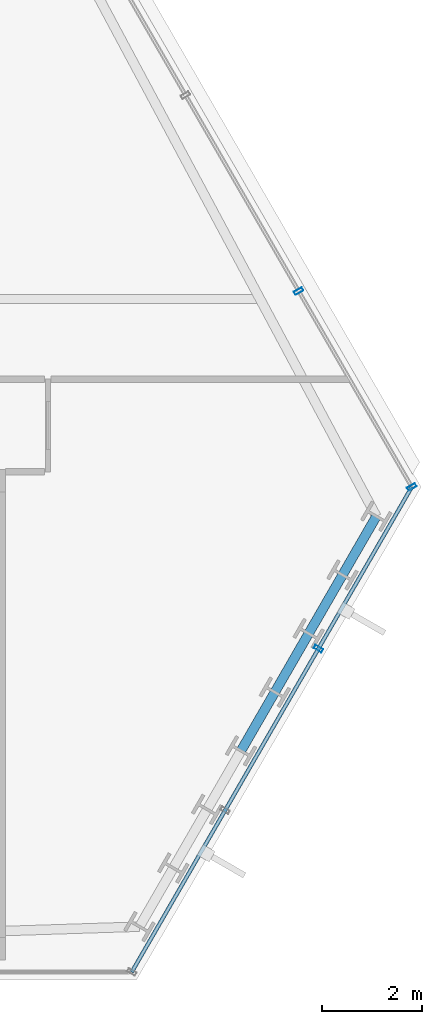
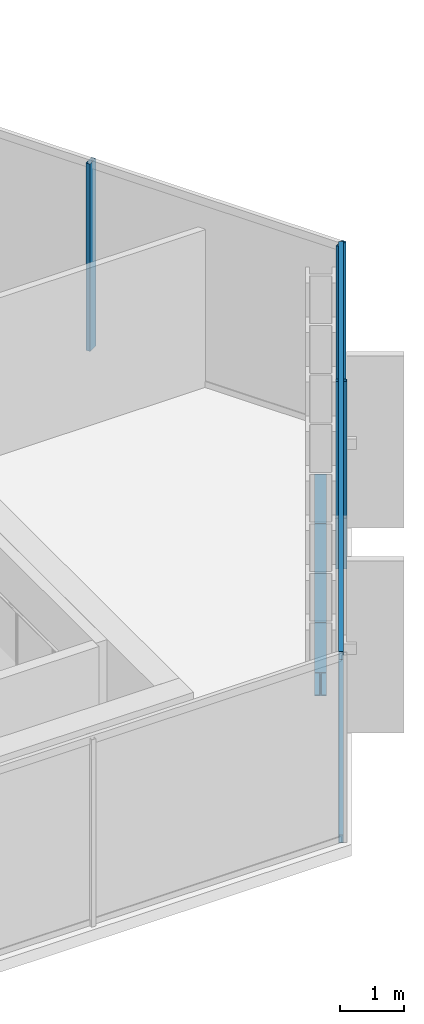
# One storey, part 17 of 33: 5 members, 4 beams, 2 elements without a shape of their own.
"""IFC4 building model written with IfcOpenShell, lengths in metres."""

from ifc_helpers import new_model, si_unit, direction, frame, origin, origin_2d, place, context, subcontext, project, spatial, hollow_rectangle, i_section, extrude, material, layer, layer_set, material_profile, profile_set, type_object, element, aggregate, save


model = new_model("IFC4")

# Units and contexts
model_context = context("Model", 3, precision=1e-05, world=origin(), true_north=direction((0.0, 1.0)))
body_context = subcontext(model_context, "Body", "Model", "MODEL_VIEW")
ifc_project = project(units=[si_unit("LENGTHUNIT", "METRE"), si_unit("AREAUNIT", "SQUARE_METRE"), si_unit("VOLUMEUNIT", "CUBIC_METRE"), si_unit("PLANEANGLEUNIT", "RADIAN"), si_unit("MASSUNIT", "GRAM", prefix="KILO")], contexts=[model_context])

# Site, building, storey
site_placement = place(None, origin())
site = spatial("IfcSite", under=ifc_project, at=site_placement, CompositionType="ELEMENT")
building_placement = place(site_placement, origin())
building = spatial("IfcBuilding", under=site, at=building_placement, Name="Ndaravel Arena Tower", CompositionType="ELEMENT")
storey_placement = place(building_placement, frame((0.0, 0.0, 149.800048828125)))
storey = spatial("IfcBuildingStorey", under=building, at=storey_placement, Name="L35", CompositionType="ELEMENT", Elevation=149.800048828125)

# Beams
ifc_material_1 = material(Name="Steel S355", Category="steel")
ifc_material_profile_1 = material_profile(ifc_material_1, i_section(OverallWidth=0.18994140625, OverallDepth=0.449951171875, WebThickness=0.009521484375, FlangeThickness=0.0146484375, FilletRadius=0.02099609375, at=origin_2d()), Name="IPE 450")
ifc_profile_set_1 = profile_set([ifc_material_profile_1], Name="Steel S355")
beam_type = type_object("IfcBeamType", Name="BM-SPAN-IPE450", PredefinedType="SPANDREL", material=ifc_profile_set_1)
for number, where, z_axis, x_axis, name in (
    (1, (62.256591796875, 9.577392578125, -0.445068359375), (0.500082007311, 0.865978051664, 0.0), (-0.865978051664, 0.500082007311, 0.0), "L35 Perimeter Spandrel Beam SP-05"),
    (2, (62.9326171875, 10.748046875, -0.445068359375), (0.49994655361, 0.866056258873, 0.0), (-0.866056258873, 0.49994655361, 0.0), "L35 Perimeter Spandrel Beam SP-06"),
    (3, (63.6083984375, 11.918701171875, -0.445068359375), (0.500082007311, 0.865978051664, 0.0), (-0.865978051664, 0.500082007311, 0.0), "L35 Perimeter Spandrel Beam SP-07"),
    (4, (64.284423828125, 13.08935546875, -0.445068359375), (0.49994655361, 0.866056258873, 0.0), (-0.866056258873, 0.49994655361, 0.0), "L35 Perimeter Spandrel Beam SP-08"),
):
    element("IfcBeam", number, at=place(storey_placement, frame(where, z_axis=z_axis, x_axis=x_axis)), inside=storey, type_object=beam_type, Name=name, PredefinedType="SPANDREL", context=body_context, shape_type="SweptSolid", body=[
        extrude(i_section(OverallWidth=0.18994140625, OverallDepth=0.449951171875, WebThickness=0.009521484375, FlangeThickness=0.0146484375, FilletRadius=0.02099609375, at=origin_2d()), origin(), (0.0, 0.0, 1.0), 1.351806640625),
    ])

# Curtain wall, member
ifc_material_2 = material(Name="Aluminium", Category="aluminium")
ifc_layer_1 = layer(ifc_material_2, 0.179931640625)
ifc_layer_set_1 = layer_set([ifc_layer_1], Name="Aluminium")
curtain_wall_type_1 = type_object("IfcCurtainWallType", Name="CW-SYS-01", PredefinedType="NOTDEFINED", material=ifc_layer_set_1)
curtain_wall_1_placement = place(storey_placement, origin())
curtain_wall_1 = element("IfcCurtainWall", 5, at=curtain_wall_1_placement, inside=storey, type_object=curtain_wall_type_1, Name="L35 Faceted Crystal Curtain Wall CW-L35-E02", PredefinedType="NOTDEFINED")
ifc_material_3 = material(Name="Aluminium", Category="aluminium")
ifc_material_profile_2 = material_profile(ifc_material_3, hollow_rectangle(XDim=0.074951171875, YDim=0.179931640625, WallThickness=0.00390625, at=origin_2d()), Name="CW MULLION 75x180x4")
ifc_profile_set_2 = profile_set([ifc_material_profile_2], Name="Aluminium")
member_type_1 = type_object("IfcMemberType", Name="MEM-CW-MUL180", PredefinedType="MULLION", material=ifc_profile_set_2)
member_1_placement = place(storey_placement, frame((63.8037109375, 11.616943359375, 0.0), z_axis=(0.0, 0.0, 1.0), x_axis=(0.5, 0.866025403784, 0.0)))
member_1 = element("IfcMember", 6, at=member_1_placement, type_object=member_type_1, Name="CW-L35-E02 Mullion 02", PredefinedType="MULLION", context=body_context, shape_type="SweptSolid", body=[
    extrude(hollow_rectangle(XDim=0.074951171875, YDim=0.179931640625, WallThickness=0.00390625, at=origin_2d()), origin(), (0.0, 0.0, 1.0), 3.579833984375),
])

# Curtain wall, members
ifc_material_4 = material(Name="Aluminium", Category="aluminium")
ifc_layer_2 = layer(ifc_material_4, 0.179931640625)
ifc_layer_set_2 = layer_set([ifc_layer_2], Name="Aluminium")
curtain_wall_type_2 = type_object("IfcCurtainWallType", Name="CW-SYS-03", PredefinedType="NOTDEFINED", material=ifc_layer_set_2)
curtain_wall_2_placement = place(storey_placement, origin())
curtain_wall_2 = element("IfcCurtainWall", 7, at=curtain_wall_2_placement, inside=storey, type_object=curtain_wall_type_2, Name="L35 Faceted Crystal Curtain Wall CW-L35-E03", PredefinedType="NOTDEFINED")
member_2_placement = place(storey_placement, frame((65.667724609375, 14.845458984375, 0.0), z_axis=(0.0, 0.0, 1.0), x_axis=(-0.5, 0.866025403784, 0.0)))
member_2 = element("IfcMember", 8, at=member_2_placement, type_object=member_type_1, Name="CW-L35-E03 Mullion 00", PredefinedType="MULLION", context=body_context, shape_type="SweptSolid", body=[
    extrude(hollow_rectangle(XDim=0.074951171875, YDim=0.179931640625, WallThickness=0.00390625, at=origin_2d()), origin(), (0.0, 0.0, 1.0), 3.579833984375),
])
member_3_placement = place(storey_placement, frame((63.408203125, 18.7587890625, 0.0), z_axis=(0.0, 0.0, 1.0), x_axis=(-0.5, 0.866025403784, 0.0)))
member_3 = element("IfcMember", 9, at=member_3_placement, type_object=member_type_1, Name="CW-L35-E03 Mullion 01", PredefinedType="MULLION", context=body_context, shape_type="SweptSolid", body=[
    extrude(hollow_rectangle(XDim=0.074951171875, YDim=0.179931640625, WallThickness=0.00390625, at=origin_2d()), origin(), (0.0, 0.0, 1.0), 3.579833984375),
])
aggregate(curtain_wall_2, [member_2, member_3])

# Member
ifc_material_5 = material(Name="Aluminium", Category="aluminium")
ifc_material_profile_3 = material_profile(ifc_material_5, hollow_rectangle(XDim=0.074951171875, YDim=0.14990234375, WallThickness=0.00390625, at=origin_2d()), Name="CW TRANSOM 75x150x4")
ifc_profile_set_3 = profile_set([ifc_material_profile_3], Name="Aluminium")
member_type_2 = type_object("IfcMemberType", Name="MEM-CW-TRN150", PredefinedType="USERDEFINED", material=ifc_profile_set_3)
member_4_placement = place(storey_placement, frame((60.07568359375, 5.159912109375, 0.0400390625), z_axis=(0.500005895944, 0.866021999733, 0.0), x_axis=(-0.866021999733, 0.500005895944, 0.0)))
member_4 = element("IfcMember", 10, at=member_4_placement, type_object=member_type_2, Name="CW-L35-E02 Transom 01", ObjectType="TRANSOM", PredefinedType="USERDEFINED", context=body_context, shape_type="SweptSolid", body=[
    extrude(hollow_rectangle(XDim=0.074951171875, YDim=0.14990234375, WallThickness=0.00390625, at=origin_2d()), origin(), (0.0, 0.0, 1.0), 11.183837890625),
])

member_5_placement = place(storey_placement, frame((60.07568359375, 5.159912109375, 3.5400390625), z_axis=(0.500005895944, 0.866021999733, 0.0), x_axis=(-0.866021999733, 0.500005895944, 0.0)))
member_5 = element("IfcMember", 11, at=member_5_placement, type_object=member_type_2, Name="CW-L35-E02 Transom 02", ObjectType="TRANSOM", PredefinedType="USERDEFINED", context=body_context, shape_type="SweptSolid", body=[
    extrude(hollow_rectangle(XDim=0.074951171875, YDim=0.14990234375, WallThickness=0.00390625, at=origin_2d()), origin(), (0.0, 0.0, 1.0), 11.183837890625),
])

aggregate(curtain_wall_1, [member_1, member_4, member_5])

save(model, "model.ifc")
